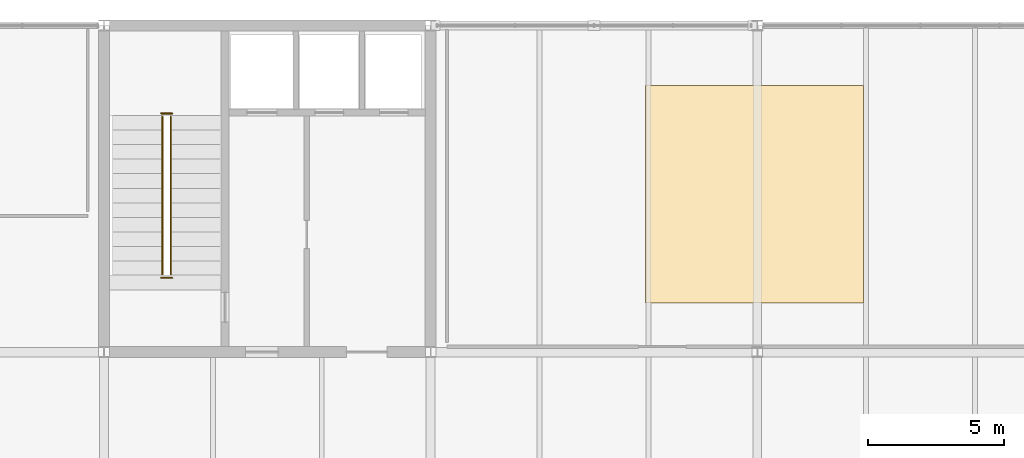
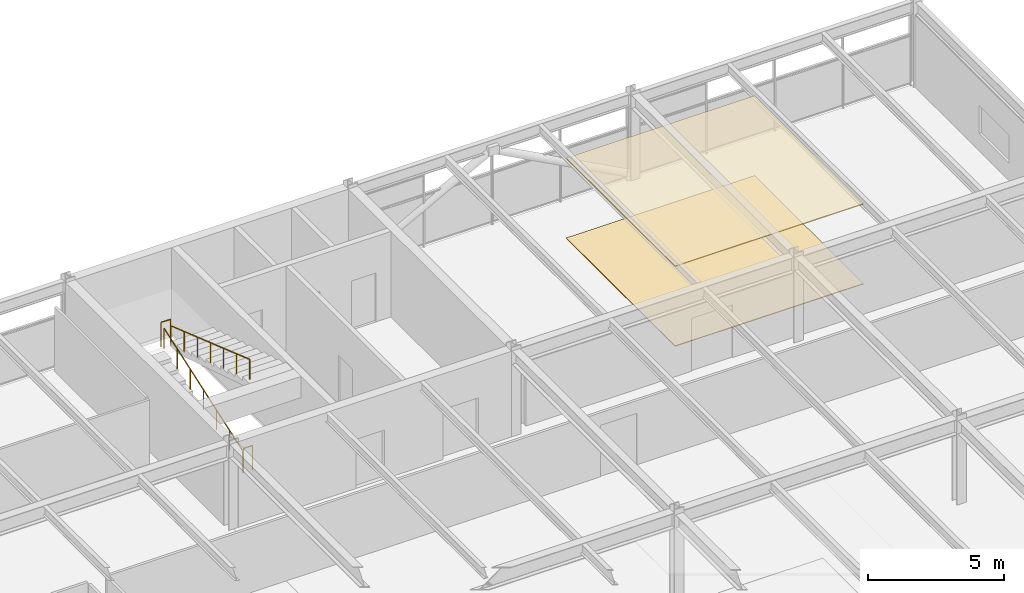
# One storey, part 52 of 52: 4 railings, 2 coverings.
"""IFC4 building model written with IfcOpenShell, lengths in metres."""

from ifc_helpers import new_model, si_unit, direction, frame, origin, origin_2d, place, context, subcontext, project, spatial, rectangle, circle, extrude, material, layer, layer_set, type_object, element, save


model = new_model("IFC4")

# Units and contexts
model_context = context("Model", 3, precision=1e-05, world=origin(), true_north=direction((0.0, 1.0)))
body_context = subcontext(model_context, "Body", "Model", "MODEL_VIEW")
ifc_project = project(units=[si_unit("LENGTHUNIT", "METRE"), si_unit("AREAUNIT", "SQUARE_METRE"), si_unit("VOLUMEUNIT", "CUBIC_METRE"), si_unit("PLANEANGLEUNIT", "RADIAN"), si_unit("MASSUNIT", "GRAM", prefix="KILO")], contexts=[model_context])

# Site, building, storey
site_placement = place(None, origin())
site = spatial("IfcSite", under=ifc_project, at=site_placement, CompositionType="ELEMENT")
building_placement = place(site_placement, origin())
building = spatial("IfcBuilding", under=site, at=building_placement, Name="Girod Span Mobility Hub", CompositionType="ELEMENT")
storey_placement = place(building_placement, frame((0.0, 0.0, 45.60009765625)))
storey = spatial("IfcBuildingStorey", under=building, at=storey_placement, Name="L11", CompositionType="ELEMENT", Elevation=45.60009765625)

# Coverings
ifc_material_1 = material(Name="Perforated Mineral-Fibre Acoustic Ceiling Tile", Category="mineral")
ifc_layer_1 = layer(ifc_material_1, 0.0400390625)
ifc_layer_set_1 = layer_set([ifc_layer_1], Name="Perforated Mineral-Fibre Acoustic Ceiling Tile")
covering_type_1 = type_object("IfcCoveringType", Name="COV-CLG-800X800", PredefinedType="CEILING", material=ifc_layer_set_1)
covering_1_placement = place(storey_placement, frame((131.89990234375, 62.800048828125, 3.5849609375), z_axis=(0.0, 0.0, 1.0), x_axis=(1.0, 0.0, 0.0)))
element("IfcCovering", 1, at=covering_1_placement, inside=storey, type_object=covering_type_1, Name="Office Suite Operations East Acoustic Ceiling", PredefinedType="CEILING", context=body_context, shape_type="SweptSolid", body=[
    extrude(rectangle(XDim=8.0, YDim=8.0, at=origin_2d()), origin(), (0.0, 0.0, 1.0), 0.0400390625),
])
ifc_material_2 = material(Name="Epoxy Terrazzo and Raised Access Flooring", Category="polymer")
ifc_layer_2 = layer(ifc_material_2, 0.034912109375)
ifc_layer_set_2 = layer_set([ifc_layer_2], Name="Epoxy Terrazzo and Raised Access Flooring")
covering_type_2 = type_object("IfcCoveringType", Name="COV-FLR-800X800", PredefinedType="FLOORING", material=ifc_layer_set_2)
covering_2_placement = place(storey_placement, frame((131.89990234375, 62.800048828125, 0.0), z_axis=(0.0, 0.0, 1.0), x_axis=(1.0, 0.0, 0.0)))
element("IfcCovering", 2, at=covering_2_placement, inside=storey, type_object=covering_type_2, Name="Office Suite Operations East Floor Finish", PredefinedType="FLOORING", context=body_context, shape_type="SweptSolid", body=[
    extrude(rectangle(XDim=8.0, YDim=8.0, at=origin_2d()), origin(), (0.0, 0.0, 1.0), 0.034912109375),
])

# Railings
ifc_material_3 = material(Name="Painted Galvanised Steel", Category="steel")
ifc_layer_3 = layer(ifc_material_3, 0.06494140625)
ifc_layer_set_3 = layer_set([ifc_layer_3], Name="Painted Galvanised Steel")
railing_type_1 = type_object("IfcRailingType", Name="RL-GRD-1120", PredefinedType="GUARDRAIL", material=ifc_layer_set_3)
for number, where, name in (
    (3, (110.10009765625, 65.77001953125, 2.0), "Stair ST-2 Half-Landing Well Guard L11"),
    (4, (110.10009765625, 59.72998046875, 0.0), "Stair ST-2 Landing Well Guard L11"),
):
    element("IfcRailing", number, at=place(storey_placement, frame(where)), inside=storey, type_object=railing_type_1, Name=name, PredefinedType="GUARDRAIL", context=body_context, shape_type="SweptSolid", body=[
        extrude(circle(Radius=0.02392578125, at=origin_2d()), frame((0.0, 0.0, 1.09619140625), z_axis=(1.0, 0.0, 0.0), x_axis=(0.0, 1.0, 0.0)), (0.0, 0.0, 1.0), 0.39990234375),
        extrude(circle(Radius=0.02099609375, at=origin_2d()), origin(), (0.0, 0.0, 1.0), 1.072021484375),
        extrude(circle(Radius=0.02099609375, at=origin_2d()), frame((0.39990234375, 0.0, 0.0)), (0.0, 0.0, 1.0), 1.072021484375),
    ])
ifc_material_4 = material(Name="Painted Galvanised Steel", Category="steel")
ifc_layer_4 = layer(ifc_material_4, 0.050048828125)
ifc_layer_set_4 = layer_set([ifc_layer_4], Name="Painted Galvanised Steel")
railing_type_2 = type_object("IfcRailingType", Name="RL-HR-920", PredefinedType="HANDRAIL", material=ifc_layer_set_4)
railing_1_placement = place(storey_placement, frame((110.14990234375, 59.860107421875, 0.0)))
element("IfcRailing", 5, at=railing_1_placement, inside=storey, type_object=railing_type_2, Name="Stair ST-2 Flight 1 Handrail L11", PredefinedType="HANDRAIL", context=body_context, shape_type="SweptSolid", body=[
    extrude(circle(Radius=0.02392578125, at=origin_2d()), frame((0.0, 0.0, 0.89599609375), z_axis=(0.0, 0.945021187488, 0.327009105681), x_axis=(-1.0, 0.0, 0.0)), (0.0, 0.0, 1.0), 6.115966796875),
    extrude(circle(Radius=0.02099609375, at=origin_2d()), origin(), (0.0, 0.0, 1.0), 0.871826171875),
    extrude(circle(Radius=0.02099609375, at=origin_2d()), frame((0.0, 0.96337890625, 0.333251953125)), (0.0, 0.0, 1.0), 0.871826171875),
    extrude(circle(Radius=0.02099609375, at=origin_2d()), frame((0.0, 1.926513671875, 0.666748046875)), (0.0, 0.0, 1.0), 0.871826171875),
    extrude(circle(Radius=0.02099609375, at=origin_2d()), frame((0.0, 2.889892578125, 1.0)), (0.0, 0.0, 1.0), 0.871826171875),
    extrude(circle(Radius=0.02099609375, at=origin_2d()), frame((0.0, 3.853271484375, 1.333251953125)), (0.0, 0.0, 1.0), 0.871826171875),
    extrude(circle(Radius=0.02099609375, at=origin_2d()), frame((0.0, 4.81640625, 1.666748046875)), (0.0, 0.0, 1.0), 0.871826171875),
    extrude(circle(Radius=0.02099609375, at=origin_2d()), frame((0.0, 5.77978515625, 2.0)), (0.0, 0.0, 1.0), 0.871826171875),
])
railing_2_placement = place(storey_placement, frame((110.449951171875, 65.639892578125, 2.0)))
element("IfcRailing", 6, at=railing_2_placement, inside=storey, type_object=railing_type_2, Name="Stair ST-2 Flight 2 Handrail L11", PredefinedType="HANDRAIL", context=body_context, shape_type="SweptSolid", body=[
    extrude(circle(Radius=0.02392578125, at=origin_2d()), frame((0.0, 0.0, 0.89599609375), z_axis=(0.0, -0.945021187488, 0.327009105681), x_axis=(1.0, 0.0, 0.0)), (0.0, 0.0, 1.0), 6.115966796875),
    extrude(circle(Radius=0.02099609375, at=origin_2d()), origin(), (0.0, 0.0, 1.0), 0.871826171875),
    extrude(circle(Radius=0.02099609375, at=origin_2d()), frame((0.0, -0.96337890625, 0.333251953125)), (0.0, 0.0, 1.0), 0.871826171875),
    extrude(circle(Radius=0.02099609375, at=origin_2d()), frame((0.0, -1.926513671875, 0.666748046875)), (0.0, 0.0, 1.0), 0.871826171875),
    extrude(circle(Radius=0.02099609375, at=origin_2d()), frame((0.0, -2.889892578125, 1.0)), (0.0, 0.0, 1.0), 0.871826171875),
    extrude(circle(Radius=0.02099609375, at=origin_2d()), frame((0.0, -3.853271484375, 1.333251953125)), (0.0, 0.0, 1.0), 0.871826171875),
    extrude(circle(Radius=0.02099609375, at=origin_2d()), frame((0.0, -4.81640625, 1.666748046875)), (0.0, 0.0, 1.0), 0.871826171875),
    extrude(circle(Radius=0.02099609375, at=origin_2d()), frame((0.0, -5.77978515625, 2.0)), (0.0, 0.0, 1.0), 0.871826171875),
])

save(model, "model.ifc")
